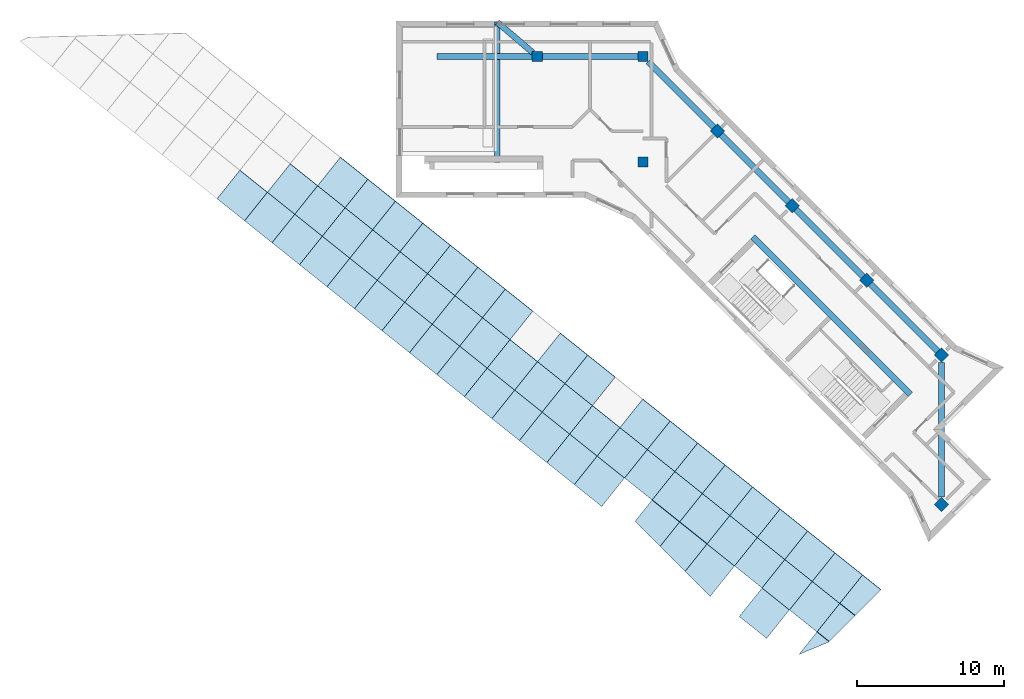
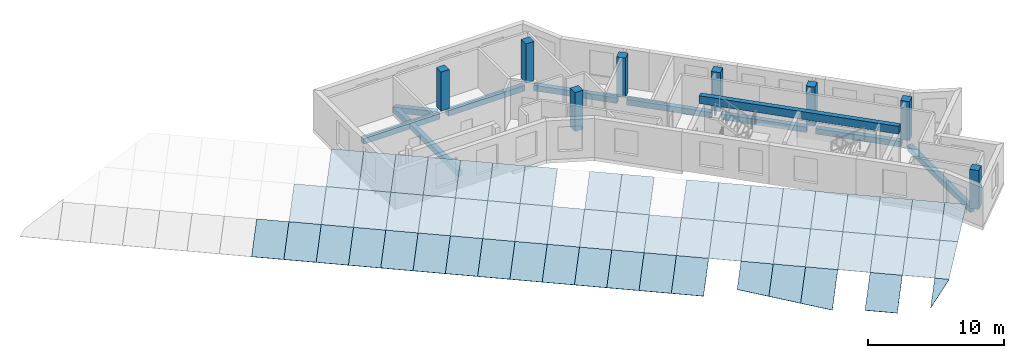
# One storey, part 1 of 6: 58 plates, 10 beams, 8 columns.
"""IFC4 building model written with IfcOpenShell, lengths in metres."""

from ifc_helpers import new_model, si_unit, direction, frame, origin, origin_2d, place, context, subcontext, project, spatial, polyline, rectangle, outline, extrude, material, layer, layer_set, material_profile, profile_set, type_object, element, save


model = new_model("IFC4")

# Units and contexts
model_context = context("Model", 3, precision=1e-05, world=origin(), true_north=direction((0.0, 1.0)))
body_context = subcontext(model_context, "Body", "Model", "MODEL_VIEW")
ifc_project = project(units=[si_unit("LENGTHUNIT", "METRE"), si_unit("AREAUNIT", "SQUARE_METRE"), si_unit("VOLUMEUNIT", "CUBIC_METRE"), si_unit("PLANEANGLEUNIT", "RADIAN"), si_unit("MASSUNIT", "GRAM", prefix="KILO")], contexts=[model_context])

# Site, building, storey
site_placement = place(None, origin())
site = spatial("IfcSite", under=ifc_project, at=site_placement, CompositionType="ELEMENT")
building_placement = place(site_placement, origin())
building = spatial("IfcBuilding", under=site, at=building_placement, Name="Windrow Commons", CompositionType="ELEMENT")
storey_placement = place(building_placement, frame((0.0, 0.0, 305.8)))
storey = spatial("IfcBuildingStorey", under=building, at=storey_placement, Name="L83", CompositionType="ELEMENT", Elevation=305.8)

# Columns
ifc_material_1 = material(Name="Concrete C40/50", Category="concrete")
ifc_material_profile_1 = material_profile(ifc_material_1, rectangle(XDim=0.7, YDim=0.7, at=origin_2d()))
ifc_profile_set_1 = profile_set([ifc_material_profile_1], Name="Concrete C40/50")
column_type = type_object("IfcColumnType", Name="RC COLUMN 700x700 C40/50", PredefinedType="COLUMN", material=ifc_profile_set_1)
for number, where, z_axis, x_axis, name in (
    (1, (72.0, 72.0, 0.0), (0.0, 0.0, 1.0), (1.0, 0.0, 0.0), "C-C-11J"),
    (2, (79.2, 64.8, 0.0), (0.0, 0.0, 1.0), (1.0, 0.0, 0.0), "C-C-12I"),
    (3, (79.2, 72.0, 0.0), (0.0, 0.0, 1.0), (1.0, 0.0, 0.0), "C-C-12J"),
    (4, (84.2912, 66.9088, 0.0), (0.0, 0.0, 1.0), (0.7071067812, -0.7071067812, 0.0), "C-C-P2Q"),
    (5, (89.3823, 61.8177, 0.0), (0.0, 0.0, 1.0), (0.7071067812, -0.7071067812, 0.0), "C-C-P3Q"),
    (6, (94.4735, 56.7265, 0.0), (0.0, 0.0, 1.0), (0.7071067812, -0.7071067812, 0.0), "C-C-P4Q"),
    (7, (99.5647, 51.6353, 0.0), (0.0, 0.0, 1.0), (0.7071067812, -0.7071067812, 0.0), "C-C-P5Q"),
    (8, (99.5647, 41.453, 0.0), (0.0, 0.0, 1.0), (0.7071067812, -0.7071067812, 0.0), "C-C-P6R"),
):
    element("IfcColumn", number, at=place(storey_placement, frame(where, z_axis=z_axis, x_axis=x_axis)), inside=storey, type_object=column_type, Name=name, PredefinedType="COLUMN", context=body_context, shape_type="SweptSolid", body=[
        extrude(rectangle(XDim=0.7, YDim=0.7, at=origin_2d()), origin(), (0.0, 0.0, 1.0), 3.5),
    ])

# Beams
ifc_material_2 = material(Name="Concrete C40/50", Category="concrete")
ifc_material_profile_2 = material_profile(ifc_material_2, rectangle(XDim=0.4, YDim=0.7, at=origin_2d()))
ifc_profile_set_2 = profile_set([ifc_material_profile_2], Name="Concrete C40/50")
beam_type_1 = type_object("IfcBeamType", Name="RC COUPLING BEAM 400x700 C40/50", PredefinedType="LINTEL", material=ifc_profile_set_2)
beam_1_placement = place(storey_placement, frame((86.6953, 59.6963, 3.15), z_axis=(0.7071100706, -0.7071034917, 0.0), x_axis=(0.7071034917, 0.7071100706, 0.0)))
element("IfcBeam", 9, at=beam_1_placement, inside=storey, type_object=beam_type_1, Name="Core B coupling beam outer-N", PredefinedType="LINTEL", context=body_context, shape_type="SweptSolid", body=[
    extrude(rectangle(XDim=0.4, YDim=0.7, at=origin_2d()), origin(), (0.0, 0.0, 1.0), 15.2),
])
ifc_material_3 = material(Name="Concrete C40/50", Category="concrete")
ifc_material_profile_3 = material_profile(ifc_material_3, rectangle(XDim=0.4, YDim=0.5, at=origin_2d()))
ifc_profile_set_3 = profile_set([ifc_material_profile_3], Name="Concrete C40/50")
beam_type_2 = type_object("IfcBeamType", Name="RC EDGE BEAM 400x500 C40/50", PredefinedType="SPANDREL", material=ifc_profile_set_3)
beam_2_placement = place(storey_placement, frame((69.267, 74.333, -0.55), z_axis=(0.0, -1.0, 0.0), x_axis=(1.0, 0.0, 0.0)))
element("IfcBeam", 10, at=beam_2_placement, inside=storey, type_object=beam_type_2, Name="Terrace base beam TR-L83-1", PredefinedType="SPANDREL", context=body_context, shape_type="SweptSolid", body=[
    extrude(rectangle(XDim=0.4, YDim=0.5, at=origin_2d()), origin(), (0.0, 0.0, 1.0), 9.583),
])
beam_3_placement = place(storey_placement, frame((71.688, 72.2663, -0.55), z_axis=(-0.7605656373, 0.6492610502, 0.0), x_axis=(-0.6492610502, -0.7605656373, 0.0)))
element("IfcBeam", 11, at=beam_3_placement, inside=storey, type_object=beam_type_2, Name="Terrace base bracket beam TR-L83-1.1", PredefinedType="SPANDREL", context=body_context, shape_type="SweptSolid", body=[
    extrude(rectangle(XDim=0.4, YDim=0.5, at=origin_2d()), origin(), (0.0, 0.0, 1.0), 3.1832),
])
for number, where, z_axis, x_axis, name in (
    (12, (65.15, 72.0, -0.55), (1.0, 0.0, 0.0), (0.0, 1.0, 0.0), "Edge beam L83 001"),
    (13, (72.35, 72.0, -0.55), (1.0, 0.0, 0.0), (0.0, 1.0, 0.0), "Edge beam L83 002"),
):
    element("IfcBeam", number, at=place(storey_placement, frame(where, z_axis=z_axis, x_axis=x_axis)), inside=storey, type_object=beam_type_2, Name=name, PredefinedType="SPANDREL", context=body_context, shape_type="SweptSolid", body=[
        extrude(rectangle(XDim=0.4, YDim=0.5, at=origin_2d()), origin(), (0.0, 0.0, 1.0), 6.5),
    ])
beam_4_placement = place(storey_placement, frame((79.55, 71.65, -0.55), z_axis=(0.7071067812, -0.7071067812, 0.0), x_axis=(0.7071067812, 0.7071067812, 0.0)))
element("IfcBeam", 14, at=beam_4_placement, inside=storey, type_object=beam_type_2, Name="Edge beam L83 003", PredefinedType="SPANDREL", context=body_context, shape_type="SweptSolid", body=[
    extrude(rectangle(XDim=0.4, YDim=0.5, at=origin_2d()), origin(), (0.0, 0.0, 1.0), 6.3551),
])
beam_5_placement = place(storey_placement, frame((84.5387, 66.6613, -0.55), z_axis=(0.7071067812, -0.7071067812, 0.0), x_axis=(0.7071067812, 0.7071067812, 0.0)))
element("IfcBeam", 15, at=beam_5_placement, inside=storey, type_object=beam_type_2, Name="Edge beam L83 004", PredefinedType="SPANDREL", context=body_context, shape_type="SweptSolid", body=[
    extrude(rectangle(XDim=0.4, YDim=0.5, at=origin_2d()), origin(), (0.0, 0.0, 1.0), 6.4999),
])
for number, where, z_axis, x_axis, name in (
    (16, (89.6298, 61.5702, -0.55), (0.7071067812, -0.7071067812, 0.0), (0.7071067812, 0.7071067812, 0.0), "Edge beam L83 005"),
    (17, (94.721, 56.479, -0.55), (0.7071067812, -0.7071067812, 0.0), (0.7071067812, 0.7071067812, 0.0), "Edge beam L83 006"),
):
    element("IfcBeam", number, at=place(storey_placement, frame(where, z_axis=z_axis, x_axis=x_axis)), inside=storey, type_object=beam_type_2, Name=name, PredefinedType="SPANDREL", context=body_context, shape_type="SweptSolid", body=[
        extrude(rectangle(XDim=0.4, YDim=0.5, at=origin_2d()), origin(), (0.0, 0.0, 1.0), 6.5),
    ])
beam_6_placement = place(storey_placement, frame((99.5647, 51.1403, -0.55), z_axis=(0.0, -1.0, 0.0), x_axis=(1.0, 0.0, 0.0)))
element("IfcBeam", 18, at=beam_6_placement, inside=storey, type_object=beam_type_2, Name="Edge beam L83 007", PredefinedType="SPANDREL", context=body_context, shape_type="SweptSolid", body=[
    extrude(rectangle(XDim=0.4, YDim=0.5, at=origin_2d()), origin(), (0.0, 0.0, 1.0), 9.1923),
])

# Plates
ifc_material_4 = material(Name="Laminated glass in aluminium frame", Category="aluminium")
ifc_layer = layer(ifc_material_4, 0.04)
ifc_layer_set = layer_set([ifc_layer], Name="Crown glazing panel 2400x3000")
plate_type = type_object("IfcPlateType", Name="Crown glazing panel 2400x3000", PredefinedType="SHEET", material=ifc_layer_set)
plate_1_placement = place(storey_placement, frame((91.8572, 32.0485, 1.7798), z_axis=(-0.3492896254, -0.4366947824, 0.8290322217), x_axis=(-0.7954086978, -0.3294924964, -0.5086842816)))
element("IfcPlate", 19, at=plate_1_placement, inside=storey, type_object=plate_type, Name="Crown glazing 101", PredefinedType="SHEET", context=body_context, shape_type="SweptSolid", body=[
    extrude(outline(polyline([(0.0, 0.0), (2.5348, 0.0), (0.3744, -0.9862), (-0.0654, -0.0229), (0.0, 0.0)])), origin(), (0.0, 0.0, -1.0), 0.04),
])
plate_2_placement = place(storey_placement, frame((87.6431, 32.3079, 0.1409), z_axis=(-0.3493251869, -0.4366390092, 0.8290466148), x_axis=(-0.7808510258, 0.6247172765, 6.0336e-06)))
element("IfcPlate", 20, at=plate_2_placement, inside=storey, type_object=plate_type, Name="Crown glazing 102", PredefinedType="SHEET", context=body_context, shape_type="SweptSolid", body=[
    extrude(outline(polyline([(0.0, 0.0), (2.4, 0.0), (2.4001, -2.9999), (0.0001, -3.0), (0.0, 0.0)])), origin(), (0.0, 0.0, -1.0), 0.04),
])
plate_3_placement = place(storey_placement, frame((80.3709, 38.585, 0.3828), z_axis=(-0.3493127766, -0.4366484268, 0.8290468838), x_axis=(0.5178824821, 0.647392053, 0.5591790987)))
element("IfcPlate", 21, at=plate_3_placement, inside=storey, type_object=plate_type, Name="Crown glazing 103", PredefinedType="SHEET", context=body_context, shape_type="SweptSolid", body=[
    extrude(outline(polyline([(0.0, 0.0), (2.5674, 0.0), (2.5673, -2.4), (-0.3217, -2.4), (0.0, 0.0)])), origin(), (0.0, 0.0, -1.0), 0.04),
])
plate_4_placement = place(storey_placement, frame((78.6634, 40.2925, 0.5626), z_axis=(-0.3493247194, -0.4366492233, 0.8290414321), x_axis=(0.517887216, 0.6473812847, 0.5591871812)))
element("IfcPlate", 22, at=plate_4_placement, inside=storey, type_object=plate_type, Name="Crown glazing 104", PredefinedType="SHEET", context=body_context, shape_type="SweptSolid", body=[
    extrude(outline(polyline([(0.0, 0.0), (2.2457, 0.0), (2.2457, -2.4), (-0.3217, -2.4), (0.0, 0.0)])), origin(), (0.0, 0.0, -1.0), 0.04),
])
plate_5_placement = place(storey_placement, frame((76.3986, 41.3035, 0.1409), z_axis=(-0.3493164888, -0.4366397863, 0.8290498704), x_axis=(-0.7808647444, 0.6247001288, 0.0)))
element("IfcPlate", 23, at=plate_5_placement, inside=storey, type_object=plate_type, Name="Crown glazing 105", PredefinedType="SHEET", context=body_context, shape_type="SweptSolid", body=[
    extrude(outline(polyline([(0.0, 0.0), (2.4, 0.0), (2.4, -3.0), (0.0, -3.0), (0.0, 0.0)])), origin(), (0.0, 0.0, -1.0), 0.04),
])
plate_6_placement = place(storey_placement, frame((74.5245, 42.8028, 0.1409), z_axis=(-0.3493143144, -0.4366399806, 0.8290506843), x_axis=(-0.7808681739, 0.624695842, -1.5083e-06)))
element("IfcPlate", 24, at=plate_6_placement, inside=storey, type_object=plate_type, Name="Crown glazing 106", PredefinedType="SHEET", context=body_context, shape_type="SweptSolid", body=[
    extrude(outline(polyline([(0.0, 0.0), (2.3999, 0.0), (2.4, -3.0), (0.0, -3.0), (0.0, 0.0)])), origin(), (0.0, 0.0, -1.0), 0.04),
])
plate_7_placement = place(storey_placement, frame((72.6505, 44.302, 0.1409), z_axis=(-0.3493143144, -0.4366399806, 0.8290506843), x_axis=(-0.7808653799, 0.6246993344, 1.5083e-06)))
element("IfcPlate", 25, at=plate_7_placement, inside=storey, type_object=plate_type, Name="Crown glazing 107", PredefinedType="SHEET", context=body_context, shape_type="SweptSolid", body=[
    extrude(outline(polyline([(0.0, 0.0), (2.4, 0.0), (2.4, -3.0), (0.0001, -3.0), (0.0, 0.0)])), origin(), (0.0, 0.0, -1.0), 0.04),
])
plate_8_placement = place(storey_placement, frame((70.7764, 45.8013, 0.1409), z_axis=(-0.3493164888, -0.4366397863, 0.8290498704), x_axis=(-0.7808647444, 0.6247001288, 0.0)))
element("IfcPlate", 26, at=plate_8_placement, inside=storey, type_object=plate_type, Name="Crown glazing 108", PredefinedType="SHEET", context=body_context, shape_type="SweptSolid", body=[
    extrude(outline(polyline([(0.0, 0.0), (2.4, 0.0), (2.4, -3.0), (0.0, -3.0), (0.0, 0.0)])), origin(), (0.0, 0.0, -1.0), 0.04),
])
plate_9_placement = place(storey_placement, frame((68.9023, 47.3006, 0.1409), z_axis=(-0.3493056165, -0.4366407577, 0.8290539397), x_axis=(-0.780881892, 0.6246786939, -7.5417e-06)))
element("IfcPlate", 27, at=plate_9_placement, inside=storey, type_object=plate_type, Name="Crown glazing 109", PredefinedType="SHEET", context=body_context, shape_type="SweptSolid", body=[
    extrude(outline(polyline([(0.0, 0.0), (2.4, 0.0), (2.4, -3.0), (-0.0001, -3.0), (0.0, 0.0)])), origin(), (0.0, 0.0, -1.0), 0.04),
])
plate_10_placement = place(storey_placement, frame((67.0282, 48.7998, 0.1409), z_axis=(-0.3493056165, -0.4366407577, 0.8290539397), x_axis=(-0.780867922, 0.6246961569, 7.5415e-06)))
element("IfcPlate", 28, at=plate_10_placement, inside=storey, type_object=plate_type, Name="Crown glazing 110", PredefinedType="SHEET", context=body_context, shape_type="SweptSolid", body=[
    extrude(outline(polyline([(0.0, 0.0), (2.4, 0.0), (2.4, -3.0), (0.0001, -3.0), (0.0, 0.0)])), origin(), (0.0, 0.0, -1.0), 0.04),
])
for number, where, z_axis, x_axis, name in (
    (29, (65.1541, 50.2991, 0.1409), (-0.3493164888, -0.4366397863, 0.8290498704), (-0.7808647444, 0.6247001288, 0.0), "Crown glazing 111"),
    (30, (63.28, 51.7984, 0.1409), (-0.3493164888, -0.4366397863, 0.8290498704), (-0.7808647444, 0.6247001288, 0.0), "Crown glazing 112"),
):
    element("IfcPlate", number, at=place(storey_placement, frame(where, z_axis=z_axis, x_axis=x_axis)), inside=storey, type_object=plate_type, Name=name, PredefinedType="SHEET", context=body_context, shape_type="SweptSolid", body=[
        extrude(outline(polyline([(0.0, 0.0), (2.4, 0.0), (2.4, -3.0), (0.0, -3.0), (0.0, 0.0)])), origin(), (0.0, 0.0, -1.0), 0.04),
    ])
plate_11_placement = place(storey_placement, frame((61.4059, 53.2977, 0.1409), z_axis=(-0.3493109798, -0.4366503747, 0.8290466149), x_axis=(-0.7808713516, 0.6246918698, 6.0335e-06)))
element("IfcPlate", 31, at=plate_11_placement, inside=storey, type_object=plate_type, Name="Crown glazing 113", PredefinedType="SHEET", context=body_context, shape_type="SweptSolid", body=[
    extrude(outline(polyline([(0.0, 0.0), (2.3999, 0.0), (2.4, -2.9999), (0.0, -3.0), (0.0, 0.0)])), origin(), (0.0, 0.0, -1.0), 0.04),
])
plate_12_placement = place(storey_placement, frame((59.5319, 54.7969, 0.1409), z_axis=(-0.3493251869, -0.4366390092, 0.8290466148), x_axis=(-0.7808622022, 0.6247033064, -6.0334e-06)))
element("IfcPlate", 32, at=plate_12_placement, inside=storey, type_object=plate_type, Name="Crown glazing 114", PredefinedType="SHEET", context=body_context, shape_type="SweptSolid", body=[
    extrude(outline(polyline([(0.0, 0.0), (2.4, 0.0), (2.4, -3.0), (0.0001, -2.9999), (0.0, 0.0)])), origin(), (0.0, 0.0, -1.0), 0.04),
])
plate_13_placement = place(storey_placement, frame((57.6578, 56.2962, 0.1409), z_axis=(-0.3493164888, -0.4366397863, 0.8290498704), x_axis=(-0.7808647444, 0.6247001288, 0.0)))
element("IfcPlate", 33, at=plate_13_placement, inside=storey, type_object=plate_type, Name="Crown glazing 115", PredefinedType="SHEET", context=body_context, shape_type="SweptSolid", body=[
    extrude(outline(polyline([(0.0, 0.0), (2.4, 0.0), (2.4, -3.0), (0.0, -3.0), (0.0, 0.0)])), origin(), (0.0, 0.0, -1.0), 0.04),
])
plate_14_placement = place(storey_placement, frame((55.7837, 57.7955, 0.1409), z_axis=(-0.349302282, -0.4366511518, 0.8290498703), x_axis=(-0.7808850696, 0.6246747219, 0.0)))
element("IfcPlate", 34, at=plate_14_placement, inside=storey, type_object=plate_type, Name="Crown glazing 116", PredefinedType="SHEET", context=body_context, shape_type="SweptSolid", body=[
    extrude(outline(polyline([(0.0, 0.0), (2.4, 0.0), (2.3999, -3.0), (-0.0001, -3.0), (0.0, 0.0)])), origin(), (0.0, 0.0, -1.0), 0.04),
])
for number, where, z_axis, x_axis, name in (
    (35, (53.9096, 59.2947, 0.1409), (-0.3493164888, -0.4366397863, 0.8290498704), (-0.7808647444, 0.6247001288, 0.0), "Crown glazing 117"),
    (36, (52.0355, 60.794, 0.1409), (-0.3493164888, -0.4366397863, 0.8290498704), (-0.7808647444, 0.6247001288, 0.0), "Crown glazing 118"),
):
    element("IfcPlate", number, at=place(storey_placement, frame(where, z_axis=z_axis, x_axis=x_axis)), inside=storey, type_object=plate_type, Name=name, PredefinedType="SHEET", context=body_context, shape_type="SweptSolid", body=[
        extrude(outline(polyline([(0.0, 0.0), (2.4, 0.0), (2.4, -3.0), (0.0, -3.0), (0.0, 0.0)])), origin(), (0.0, 0.0, -1.0), 0.04),
    ])
plate_15_placement = place(storey_placement, frame((91.8979, 32.0892, 1.8184), z_axis=(-0.3493108934, -0.4366794869, 0.8290313175), x_axis=(-0.7809093848, 0.6246443248, -1.30172e-05)))
element("IfcPlate", 37, at=plate_15_placement, inside=storey, type_object=plate_type, Name="Crown glazing 125", PredefinedType="SHEET", context=body_context, shape_type="SweptSolid", body=[
    extrude(outline(polyline([(0.0, 0.0), (1.059, 0.0), (1.0588, -3.0), (-0.2766, -3.0), (0.0, 0.0)])), origin(), (0.0, 0.0, -1.0), 0.04),
])
for number, where, z_axis, x_axis, name in (
    (38, (91.0709, 32.7507, 1.8184), (-0.349330801, -0.4366576763, 0.8290344174), (-0.7808647444, 0.6247001288, 0.0), "Crown glazing 126"),
    (39, (89.1968, 34.25, 1.8184), (-0.349330801, -0.4366576763, 0.8290344174), (-0.7808647444, 0.6247001288, 0.0), "Crown glazing 127"),
):
    element("IfcPlate", number, at=place(storey_placement, frame(where, z_axis=z_axis, x_axis=x_axis)), inside=storey, type_object=plate_type, Name=name, PredefinedType="SHEET", context=body_context, shape_type="SweptSolid", body=[
        extrude(outline(polyline([(0.0, 0.0), (2.4, 0.0), (2.4, -3.0), (0.0, -3.0), (0.0, 0.0)])), origin(), (0.0, 0.0, -1.0), 0.04),
    ])
plate_16_placement = place(storey_placement, frame((87.3227, 35.7493, 1.8184), z_axis=(-0.3493286265, -0.4366578706, 0.8290352313), x_axis=(-0.7808681739, 0.624695842, -1.5084e-06)))
element("IfcPlate", 40, at=plate_16_placement, inside=storey, type_object=plate_type, Name="Crown glazing 128", PredefinedType="SHEET", context=body_context, shape_type="SweptSolid", body=[
    extrude(outline(polyline([(0.0, 0.0), (2.3999, 0.0), (2.4, -3.0), (0.0, -3.0), (0.0, 0.0)])), origin(), (0.0, 0.0, -1.0), 0.04),
])
plate_17_placement = place(storey_placement, frame((85.4487, 37.2485, 1.8184), z_axis=(-0.3493286265, -0.4366578706, 0.8290352313), x_axis=(-0.78086538, 0.6246993343, 1.5083e-06)))
element("IfcPlate", 41, at=plate_17_placement, inside=storey, type_object=plate_type, Name="Crown glazing 129", PredefinedType="SHEET", context=body_context, shape_type="SweptSolid", body=[
    extrude(outline(polyline([(0.0, 0.0), (2.4, 0.0), (2.4, -3.0), (0.0001, -3.0), (0.0, 0.0)])), origin(), (0.0, 0.0, -1.0), 0.04),
])
plate_18_placement = place(storey_placement, frame((83.5746, 38.7478, 1.8184), z_axis=(-0.349330801, -0.4366576763, 0.8290344174), x_axis=(-0.7808647444, 0.6247001288, 0.0)))
element("IfcPlate", 42, at=plate_18_placement, inside=storey, type_object=plate_type, Name="Crown glazing 130", PredefinedType="SHEET", context=body_context, shape_type="SweptSolid", body=[
    extrude(outline(polyline([(0.0, 0.0), (2.4, 0.0), (2.4, -3.0), (0.0, -3.0), (0.0, 0.0)])), origin(), (0.0, 0.0, -1.0), 0.04),
])
plate_19_placement = place(storey_placement, frame((81.7005, 40.2471, 1.8184), z_axis=(-0.3493199284, -0.4366586479, 0.829038487), x_axis=(-0.7808818918, 0.6246786943, -7.5419e-06)))
element("IfcPlate", 43, at=plate_19_placement, inside=storey, type_object=plate_type, Name="Crown glazing 131", PredefinedType="SHEET", context=body_context, shape_type="SweptSolid", body=[
    extrude(outline(polyline([(0.0, 0.0), (2.4, 0.0), (2.4, -3.0001), (-0.0001, -3.0), (0.0, 0.0)])), origin(), (0.0, 0.0, -1.0), 0.04),
])
plate_20_placement = place(storey_placement, frame((79.8264, 41.7463, 1.8184), z_axis=(-0.3493199284, -0.4366586479, 0.829038487), x_axis=(-0.7808679222, 0.6246961565, 7.5417e-06)))
element("IfcPlate", 44, at=plate_20_placement, inside=storey, type_object=plate_type, Name="Crown glazing 132", PredefinedType="SHEET", context=body_context, shape_type="SweptSolid", body=[
    extrude(outline(polyline([(0.0, 0.0), (2.4, 0.0), (2.4, -3.0), (0.0001, -3.0001), (0.0, 0.0)])), origin(), (0.0, 0.0, -1.0), 0.04),
])
for number, where, z_axis, x_axis, name in (
    (45, (77.9523, 43.2456, 1.8184), (-0.349330801, -0.4366576763, 0.8290344174), (-0.7808647444, 0.6247001288, 0.0), "Crown glazing 133"),
    (46, (76.0782, 44.7449, 1.8184), (-0.349330801, -0.4366576763, 0.8290344174), (-0.7808647444, 0.6247001288, 0.0), "Crown glazing 134"),
):
    element("IfcPlate", number, at=place(storey_placement, frame(where, z_axis=z_axis, x_axis=x_axis)), inside=storey, type_object=plate_type, Name=name, PredefinedType="SHEET", context=body_context, shape_type="SweptSolid", body=[
        extrude(outline(polyline([(0.0, 0.0), (2.4, 0.0), (2.4, -3.0), (0.0, -3.0), (0.0, 0.0)])), origin(), (0.0, 0.0, -1.0), 0.04),
    ])
plate_21_placement = place(storey_placement, frame((74.2041, 46.2442, 1.8184), z_axis=(-0.3493252917, -0.436668265, 0.8290311616), x_axis=(-0.7808713518, 0.6246918695, 6.0336e-06)))
element("IfcPlate", 47, at=plate_21_placement, inside=storey, type_object=plate_type, Name="Crown glazing 135", PredefinedType="SHEET", context=body_context, shape_type="SweptSolid", body=[
    extrude(outline(polyline([(0.0, 0.0), (2.3999, 0.0), (2.4, -3.0), (0.0, -3.0), (0.0, 0.0)])), origin(), (0.0, 0.0, -1.0), 0.04),
])
plate_22_placement = place(storey_placement, frame((72.3301, 47.7434, 1.8184), z_axis=(-0.3493394993, -0.436656899, 0.8290311615), x_axis=(-0.780862202, 0.6247033067, -6.0335e-06)))
element("IfcPlate", 48, at=plate_22_placement, inside=storey, type_object=plate_type, Name="Crown glazing 136", PredefinedType="SHEET", context=body_context, shape_type="SweptSolid", body=[
    extrude(outline(polyline([(0.0, 0.0), (2.4, 0.0), (2.4, -3.0), (0.0001, -3.0), (0.0, 0.0)])), origin(), (0.0, 0.0, -1.0), 0.04),
])
plate_23_placement = place(storey_placement, frame((70.456, 49.2427, 1.8184), z_axis=(-0.349330801, -0.4366576763, 0.8290344174), x_axis=(-0.7808647444, 0.6247001288, 0.0)))
element("IfcPlate", 49, at=plate_23_placement, inside=storey, type_object=plate_type, Name="Crown glazing 137", PredefinedType="SHEET", context=body_context, shape_type="SweptSolid", body=[
    extrude(outline(polyline([(0.0, 0.0), (2.4, 0.0), (2.4, -3.0), (0.0, -3.0), (0.0, 0.0)])), origin(), (0.0, 0.0, -1.0), 0.04),
])
plate_24_placement = place(storey_placement, frame((68.5819, 50.742, 1.8184), z_axis=(-0.3493165936, -0.4366690422, 0.8290344173), x_axis=(-0.7808850696, 0.6246747219, 0.0)))
element("IfcPlate", 50, at=plate_24_placement, inside=storey, type_object=plate_type, Name="Crown glazing 138", PredefinedType="SHEET", context=body_context, shape_type="SweptSolid", body=[
    extrude(outline(polyline([(0.0, 0.0), (2.4, 0.0), (2.3999, -3.0), (-0.0001, -3.0), (0.0, 0.0)])), origin(), (0.0, 0.0, -1.0), 0.04),
])
for number, where, z_axis, x_axis, name in (
    (51, (66.7078, 52.2412, 1.8184), (-0.349330801, -0.4366576763, 0.8290344174), (-0.7808647444, 0.6247001288, 0.0), "Crown glazing 139"),
    (52, (64.8337, 53.7405, 1.8184), (-0.349330801, -0.4366576763, 0.8290344174), (-0.7808647444, 0.6247001288, 0.0), "Crown glazing 140"),
):
    element("IfcPlate", number, at=place(storey_placement, frame(where, z_axis=z_axis, x_axis=x_axis)), inside=storey, type_object=plate_type, Name=name, PredefinedType="SHEET", context=body_context, shape_type="SweptSolid", body=[
        extrude(outline(polyline([(0.0, 0.0), (2.4, 0.0), (2.4, -3.0), (0.0, -3.0), (0.0, 0.0)])), origin(), (0.0, 0.0, -1.0), 0.04),
    ])
plate_25_placement = place(storey_placement, frame((62.9596, 55.2398, 1.8184), z_axis=(-0.3493165936, -0.4366690422, 0.8290344173), x_axis=(-0.7808850696, 0.6246747219, 0.0)))
element("IfcPlate", 53, at=plate_25_placement, inside=storey, type_object=plate_type, Name="Crown glazing 141", PredefinedType="SHEET", context=body_context, shape_type="SweptSolid", body=[
    extrude(outline(polyline([(0.0, 0.0), (2.4, 0.0), (2.3999, -3.0), (-0.0001, -3.0), (0.0, 0.0)])), origin(), (0.0, 0.0, -1.0), 0.04),
])
plate_26_placement = place(storey_placement, frame((61.0855, 56.739, 1.8184), z_axis=(-0.3493394993, -0.436656899, 0.8290311615), x_axis=(-0.780851026, 0.6247172762, 6.0337e-06)))
element("IfcPlate", 54, at=plate_26_placement, inside=storey, type_object=plate_type, Name="Crown glazing 142", PredefinedType="SHEET", context=body_context, shape_type="SweptSolid", body=[
    extrude(outline(polyline([(0.0, 0.0), (2.4, 0.0), (2.4001, -3.0), (0.0001, -3.0), (0.0, 0.0)])), origin(), (0.0, 0.0, -1.0), 0.04),
])
plate_27_placement = place(storey_placement, frame((59.2115, 58.2383, 1.8184), z_axis=(-0.3493394993, -0.436656899, 0.8290311615), x_axis=(-0.780862202, 0.6247033067, -6.0335e-06)))
element("IfcPlate", 55, at=plate_27_placement, inside=storey, type_object=plate_type, Name="Crown glazing 143", PredefinedType="SHEET", context=body_context, shape_type="SweptSolid", body=[
    extrude(outline(polyline([(0.0, 0.0), (2.4, 0.0), (2.4, -3.0), (0.0001, -3.0), (0.0, 0.0)])), origin(), (0.0, 0.0, -1.0), 0.04),
])
plate_28_placement = place(storey_placement, frame((57.3374, 59.7376, 1.8184), z_axis=(-0.3493165936, -0.4366690422, 0.8290344173), x_axis=(-0.7808850696, 0.6246747219, 0.0)))
element("IfcPlate", 56, at=plate_28_placement, inside=storey, type_object=plate_type, Name="Crown glazing 144", PredefinedType="SHEET", context=body_context, shape_type="SweptSolid", body=[
    extrude(outline(polyline([(0.0, 0.0), (2.4, 0.0), (2.3999, -3.0), (-0.0001, -3.0), (0.0, 0.0)])), origin(), (0.0, 0.0, -1.0), 0.04),
])
plate_29_placement = place(storey_placement, frame((55.4633, 61.2368, 1.8184), z_axis=(-0.349330801, -0.4366576763, 0.8290344174), x_axis=(-0.7808647444, 0.6247001288, 0.0)))
element("IfcPlate", 57, at=plate_29_placement, inside=storey, type_object=plate_type, Name="Crown glazing 145", PredefinedType="SHEET", context=body_context, shape_type="SweptSolid", body=[
    extrude(outline(polyline([(0.0, 0.0), (2.4, 0.0), (2.4, -3.0), (0.0, -3.0), (0.0, 0.0)])), origin(), (0.0, 0.0, -1.0), 0.04),
])
plate_30_placement = place(storey_placement, frame((93.6674, 33.8586, 3.496), z_axis=(-0.3493324279, -0.4366513043, 0.829037088), x_axis=(-0.7808757463, 0.6246863761, -1.82132e-05)))
element("IfcPlate", 58, at=plate_30_placement, inside=storey, type_object=plate_type, Name="Crown glazing 153", PredefinedType="SHEET", context=body_context, shape_type="SweptSolid", body=[
    extrude(outline(polyline([(0.0, 0.0), (1.3354, 0.0), (1.3354, -3.0001), (-0.2763, -3.0), (0.0, 0.0)])), origin(), (0.0, 0.0, -1.0), 0.04),
])
plate_31_placement = place(storey_placement, frame((92.6246, 34.6928, 3.496), z_axis=(-0.3493199284, -0.4366586479, 0.829038487), x_axis=(-0.7808679222, 0.6246961565, 7.5417e-06)))
element("IfcPlate", 59, at=plate_31_placement, inside=storey, type_object=plate_type, Name="Crown glazing 154", PredefinedType="SHEET", context=body_context, shape_type="SweptSolid", body=[
    extrude(outline(polyline([(0.0, 0.0), (2.4, 0.0), (2.4, -3.0), (0.0001, -3.0001), (0.0, 0.0)])), origin(), (0.0, 0.0, -1.0), 0.04),
])
for number, where, z_axis, x_axis, name in (
    (60, (90.7505, 36.1921, 3.496), (-0.349330801, -0.4366576763, 0.8290344174), (-0.7808647444, 0.6247001288, 0.0), "Crown glazing 155"),
    (61, (88.8764, 37.6914, 3.496), (-0.349330801, -0.4366576763, 0.8290344174), (-0.7808647444, 0.6247001288, 0.0), "Crown glazing 156"),
):
    element("IfcPlate", number, at=place(storey_placement, frame(where, z_axis=z_axis, x_axis=x_axis)), inside=storey, type_object=plate_type, Name=name, PredefinedType="SHEET", context=body_context, shape_type="SweptSolid", body=[
        extrude(outline(polyline([(0.0, 0.0), (2.4, 0.0), (2.4, -3.0), (0.0, -3.0), (0.0, 0.0)])), origin(), (0.0, 0.0, -1.0), 0.04),
    ])
plate_32_placement = place(storey_placement, frame((87.0023, 39.1907, 3.496), z_axis=(-0.3493252917, -0.436668265, 0.8290311616), x_axis=(-0.7808713518, 0.6246918695, 6.0336e-06)))
element("IfcPlate", 62, at=plate_32_placement, inside=storey, type_object=plate_type, Name="Crown glazing 157", PredefinedType="SHEET", context=body_context, shape_type="SweptSolid", body=[
    extrude(outline(polyline([(0.0, 0.0), (2.3999, 0.0), (2.4, -3.0), (0.0, -3.0), (0.0, 0.0)])), origin(), (0.0, 0.0, -1.0), 0.04),
])
plate_33_placement = place(storey_placement, frame((85.1283, 40.6899, 3.496), z_axis=(-0.3493394993, -0.436656899, 0.8290311615), x_axis=(-0.780862202, 0.6247033067, -6.0335e-06)))
element("IfcPlate", 63, at=plate_33_placement, inside=storey, type_object=plate_type, Name="Crown glazing 158", PredefinedType="SHEET", context=body_context, shape_type="SweptSolid", body=[
    extrude(outline(polyline([(0.0, 0.0), (2.4, 0.0), (2.4, -3.0), (0.0001, -3.0), (0.0, 0.0)])), origin(), (0.0, 0.0, -1.0), 0.04),
])
plate_34_placement = place(storey_placement, frame((83.2542, 42.1892, 3.496), z_axis=(-0.349330801, -0.4366576763, 0.8290344174), x_axis=(-0.7808647444, 0.6247001288, 0.0)))
element("IfcPlate", 64, at=plate_34_placement, inside=storey, type_object=plate_type, Name="Crown glazing 159", PredefinedType="SHEET", context=body_context, shape_type="SweptSolid", body=[
    extrude(outline(polyline([(0.0, 0.0), (2.4, 0.0), (2.4, -3.0), (0.0, -3.0), (0.0, 0.0)])), origin(), (0.0, 0.0, -1.0), 0.04),
])
plate_35_placement = place(storey_placement, frame((81.3801, 43.6885, 3.496), z_axis=(-0.3493165936, -0.4366690422, 0.8290344173), x_axis=(-0.7808850696, 0.6246747219, 0.0)))
element("IfcPlate", 65, at=plate_35_placement, inside=storey, type_object=plate_type, Name="Crown glazing 160", PredefinedType="SHEET", context=body_context, shape_type="SweptSolid", body=[
    extrude(outline(polyline([(0.0, 0.0), (2.4, 0.0), (2.3999, -3.0), (-0.0001, -3.0), (0.0, 0.0)])), origin(), (0.0, 0.0, -1.0), 0.04),
])
plate_36_placement = place(storey_placement, frame((79.506, 45.1877, 3.496), z_axis=(-0.349330801, -0.4366576763, 0.8290344174), x_axis=(-0.7808647444, 0.6247001288, 0.0)))
element("IfcPlate", 66, at=plate_36_placement, inside=storey, type_object=plate_type, Name="Crown glazing 161", PredefinedType="SHEET", context=body_context, shape_type="SweptSolid", body=[
    extrude(outline(polyline([(0.0, 0.0), (2.4, 0.0), (2.4, -3.0), (0.0, -3.0), (0.0, 0.0)])), origin(), (0.0, 0.0, -1.0), 0.04),
])
plate_37_placement = place(storey_placement, frame((75.7578, 48.1863, 3.496), z_axis=(-0.3493165936, -0.4366690422, 0.8290344173), x_axis=(-0.7808850696, 0.6246747219, 0.0)))
element("IfcPlate", 67, at=plate_37_placement, inside=storey, type_object=plate_type, Name="Crown glazing 163", PredefinedType="SHEET", context=body_context, shape_type="SweptSolid", body=[
    extrude(outline(polyline([(0.0, 0.0), (2.4, 0.0), (2.3999, -3.0), (-0.0001, -3.0), (0.0, 0.0)])), origin(), (0.0, 0.0, -1.0), 0.04),
])
plate_38_placement = place(storey_placement, frame((73.8837, 49.6855, 3.496), z_axis=(-0.3493394993, -0.436656899, 0.8290311615), x_axis=(-0.780851026, 0.6247172762, 6.0337e-06)))
element("IfcPlate", 68, at=plate_38_placement, inside=storey, type_object=plate_type, Name="Crown glazing 164", PredefinedType="SHEET", context=body_context, shape_type="SweptSolid", body=[
    extrude(outline(polyline([(0.0, 0.0), (2.4, 0.0), (2.4001, -3.0), (0.0001, -3.0), (0.0, 0.0)])), origin(), (0.0, 0.0, -1.0), 0.04),
])
plate_39_placement = place(storey_placement, frame((70.1356, 52.6841, 3.496), z_axis=(-0.3493165936, -0.4366690422, 0.8290344173), x_axis=(-0.7808850696, 0.6246747219, 0.0)))
element("IfcPlate", 69, at=plate_39_placement, inside=storey, type_object=plate_type, Name="Crown glazing 166", PredefinedType="SHEET", context=body_context, shape_type="SweptSolid", body=[
    extrude(outline(polyline([(0.0, 0.0), (2.4, 0.0), (2.3999, -3.0), (-0.0001, -3.0), (0.0, 0.0)])), origin(), (0.0, 0.0, -1.0), 0.04),
])
for number, where, z_axis, x_axis, name in (
    (70, (68.2615, 54.1833, 3.496), (-0.349330801, -0.4366576763, 0.8290344174), (-0.7808647444, 0.6247001288, 0.0), "Crown glazing 167"),
    (71, (66.3874, 55.6826, 3.496), (-0.349330801, -0.4366576763, 0.8290344174), (-0.7808647444, 0.6247001288, 0.0), "Crown glazing 168"),
):
    element("IfcPlate", number, at=place(storey_placement, frame(where, z_axis=z_axis, x_axis=x_axis)), inside=storey, type_object=plate_type, Name=name, PredefinedType="SHEET", context=body_context, shape_type="SweptSolid", body=[
        extrude(outline(polyline([(0.0, 0.0), (2.4, 0.0), (2.4, -3.0), (0.0, -3.0), (0.0, 0.0)])), origin(), (0.0, 0.0, -1.0), 0.04),
    ])
plate_40_placement = place(storey_placement, frame((64.5133, 57.1819, 3.496), z_axis=(-0.3493165936, -0.4366690422, 0.8290344173), x_axis=(-0.7808850696, 0.6246747219, 0.0)))
element("IfcPlate", 72, at=plate_40_placement, inside=storey, type_object=plate_type, Name="Crown glazing 169", PredefinedType="SHEET", context=body_context, shape_type="SweptSolid", body=[
    extrude(outline(polyline([(0.0, 0.0), (2.4, 0.0), (2.3999, -3.0), (-0.0001, -3.0), (0.0, 0.0)])), origin(), (0.0, 0.0, -1.0), 0.04),
])
plate_41_placement = place(storey_placement, frame((62.6392, 58.6811, 3.496), z_axis=(-0.349330801, -0.4366576763, 0.8290344174), x_axis=(-0.7808647444, 0.6247001288, 0.0)))
element("IfcPlate", 73, at=plate_41_placement, inside=storey, type_object=plate_type, Name="Crown glazing 170", PredefinedType="SHEET", context=body_context, shape_type="SweptSolid", body=[
    extrude(outline(polyline([(0.0, 0.0), (2.4, 0.0), (2.4, -3.0), (0.0, -3.0), (0.0, 0.0)])), origin(), (0.0, 0.0, -1.0), 0.04),
])
plate_42_placement = place(storey_placement, frame((60.7651, 60.1804, 3.496), z_axis=(-0.3493394993, -0.436656899, 0.8290311615), x_axis=(-0.780851026, 0.6247172762, 6.0337e-06)))
element("IfcPlate", 74, at=plate_42_placement, inside=storey, type_object=plate_type, Name="Crown glazing 171", PredefinedType="SHEET", context=body_context, shape_type="SweptSolid", body=[
    extrude(outline(polyline([(0.0, 0.0), (2.4, 0.0), (2.4001, -3.0), (0.0001, -3.0), (0.0, 0.0)])), origin(), (0.0, 0.0, -1.0), 0.04),
])
plate_43_placement = place(storey_placement, frame((58.8911, 61.6797, 3.496), z_axis=(-0.3493286265, -0.4366578706, 0.8290352313), x_axis=(-0.7808793494, 0.6246818722, -1.35754e-05)))
element("IfcPlate", 75, at=plate_43_placement, inside=storey, type_object=plate_type, Name="Crown glazing 172", PredefinedType="SHEET", context=body_context, shape_type="SweptSolid", body=[
    extrude(outline(polyline([(0.0, 0.0), (2.4, 0.0), (2.4, -3.0001), (0.0, -3.0), (0.0, 0.0)])), origin(), (0.0, 0.0, -1.0), 0.04),
])
plate_44_placement = place(storey_placement, frame((83.7859, 35.17, 0.023), z_axis=(-0.3493202224, -0.4366563332, 0.8290395822), x_axis=(-0.7051500402, 0.7051558217, 0.0742878722)))
element("IfcPlate", 76, at=plate_44_placement, inside=storey, type_object=plate_type, Name="Crown glazing 347", PredefinedType="SHEET", context=body_context, shape_type="SweptSolid", body=[
    extrude(outline(polyline([(0.0, 0.0), (2.4215, 0.0), (2.8053, -2.8634), (0.4265, -3.1822), (0.0, 0.0)])), origin(), (0.0, 0.0, -1.0), 0.04),
])

save(model, "model.ifc")
